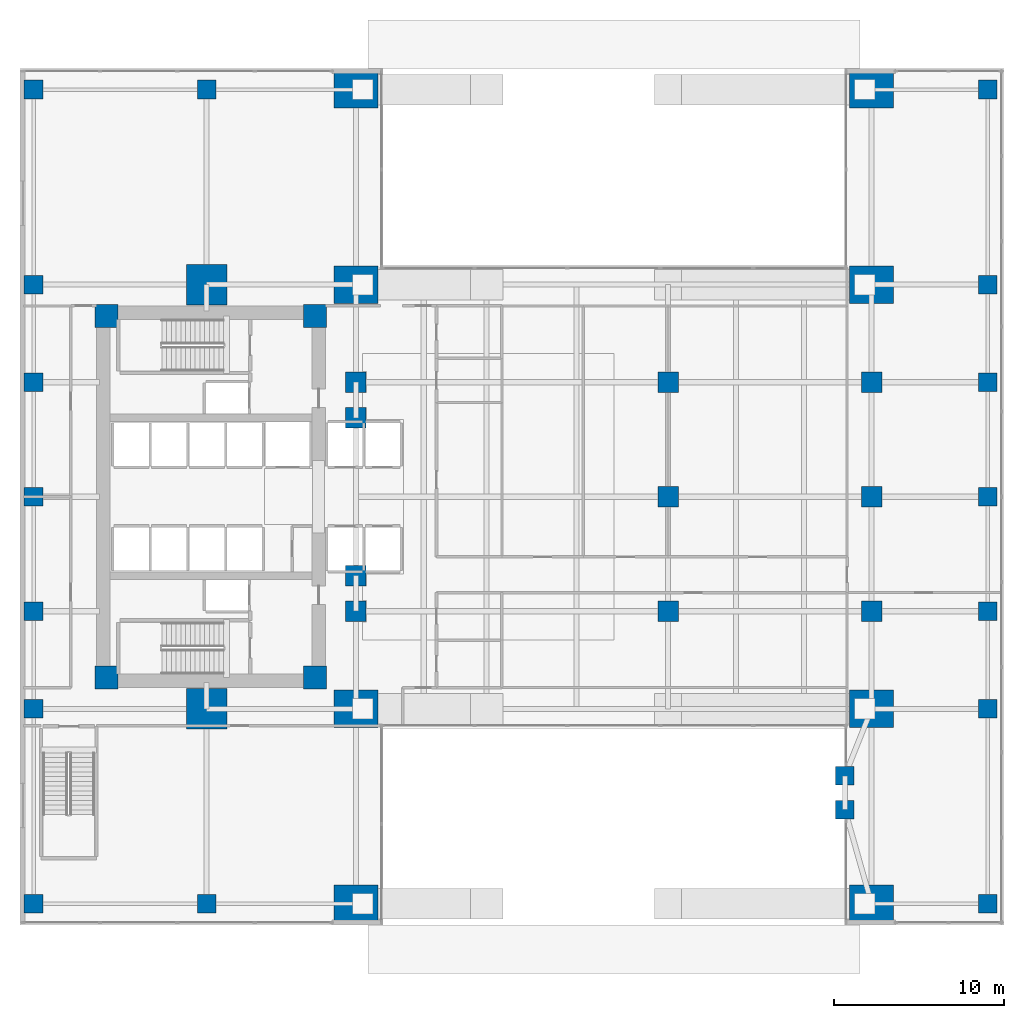
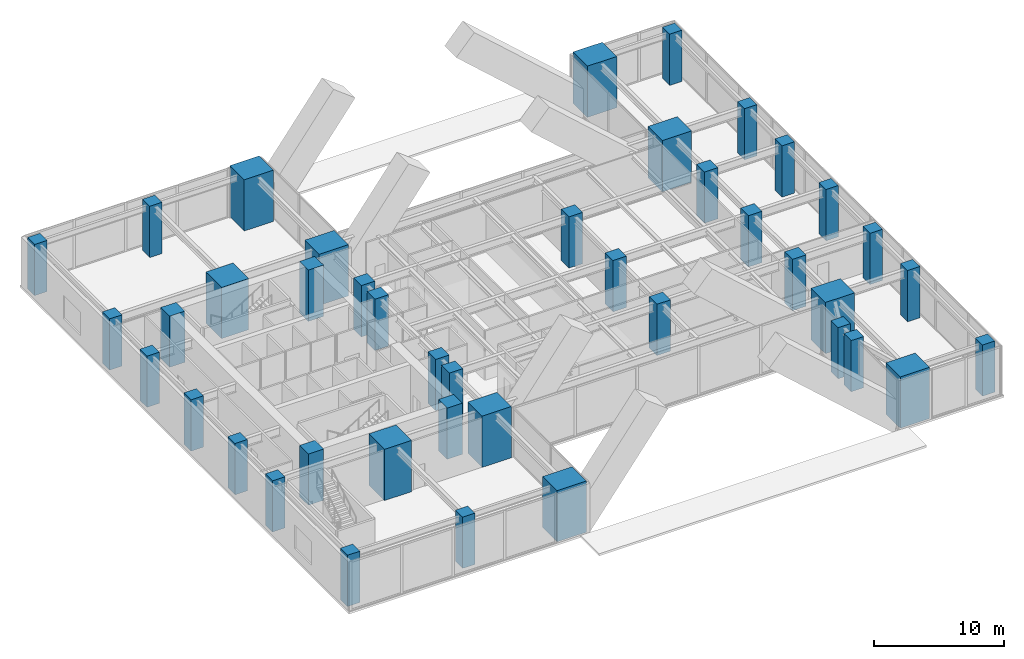
# One storey, part 1 of 13: 42 columns.
"""IFC4 building model written with IfcOpenShell, lengths in metres."""

from ifc_helpers import new_model, si_unit, direction, frame, origin, origin_2d, place, context, subcontext, project, spatial, rectangle, extrude, material, material_profile, profile_set, type_object, element, save


model = new_model("IFC4")

# Units and contexts
model_context = context("Model", 3, precision=1e-05, world=origin(), true_north=direction((0.0, 1.0)))
body_context = subcontext(model_context, "Body", "Model", "MODEL_VIEW")
ifc_project = project(units=[si_unit("LENGTHUNIT", "METRE"), si_unit("AREAUNIT", "SQUARE_METRE"), si_unit("VOLUMEUNIT", "CUBIC_METRE"), si_unit("PLANEANGLEUNIT", "RADIAN"), si_unit("MASSUNIT", "GRAM", prefix="KILO")], contexts=[model_context])

# Site, building, storey
site_placement = place(None, origin())
site = spatial("IfcSite", under=ifc_project, at=site_placement, CompositionType="ELEMENT")
building_placement = place(site_placement, origin())
building = spatial("IfcBuilding", under=site, at=building_placement, Name="Kinhvarn Gate Tower", CompositionType="ELEMENT")
storey_placement = place(building_placement, frame((0.0, 0.0, 6.0)))
storey = spatial("IfcBuildingStorey", under=building, at=storey_placement, Name="L01", CompositionType="ELEMENT", Elevation=6.0)

# Columns
ifc_material_1 = material(Name="Concrete C70/85", Category="concrete")
ifc_material_profile_1 = material_profile(ifc_material_1, rectangle(XDim=2.60009765625, YDim=2.199951171875, at=origin_2d()), Name="RC 2600x2200")
ifc_profile_set_1 = profile_set([ifc_material_profile_1], Name="Concrete C70/85")
column_type_1 = type_object("IfcColumnType", Name="COL-AP-2600", PredefinedType="COLUMN", material=ifc_profile_set_1)
for number, where, z_axis, x_axis, name in (
    (1, (19.800048828125, 1.25, 0.0), (0.0, 0.0, 1.0), (1.0, 0.0, 0.0), "Column APW-1-L01 (AP-01)"),
    (2, (50.199951171875, 1.25, 0.0), (0.0, 0.0, 1.0), (1.0, 0.0, 0.0), "Column APE-1-L01 (AP-01)"),
    (3, (19.800048828125, 12.75, 0.0), (0.0, 0.0, 1.0), (1.0, 0.0, 0.0), "Column APW-2-L01 (AP-01)"),
    (4, (50.199951171875, 12.75, 0.0), (0.0, 0.0, 1.0), (1.0, 0.0, 0.0), "Column APE-2-L01 (AP-01)"),
    (5, (19.800048828125, 37.75, 0.0), (0.0, 0.0, 1.0), (1.0, 0.0, 0.0), "Column APW-3-L01 (AP-01)"),
    (6, (50.199951171875, 37.75, 0.0), (0.0, 0.0, 1.0), (1.0, 0.0, 0.0), "Column APE-3-L01 (AP-01)"),
    (7, (19.800048828125, 49.25, 0.0), (0.0, 0.0, 1.0), (1.0, 0.0, 0.0), "Column APW-4-L01 (AP-01)"),
    (8, (50.199951171875, 49.25, 0.0), (0.0, 0.0, 1.0), (1.0, 0.0, 0.0), "Column APE-4-L01 (AP-01)"),
):
    element("IfcColumn", number, at=place(storey_placement, frame(where, z_axis=z_axis, x_axis=x_axis)), inside=storey, type_object=column_type_1, Name=name, PredefinedType="COLUMN", context=body_context, shape_type="SweptSolid", body=[
        extrude(rectangle(XDim=2.60009765625, YDim=2.199951171875, at=origin_2d()), origin(), (0.0, 0.0, 1.0), 4.800048828125),
    ])
ifc_material_profile_2 = material_profile(ifc_material_1, rectangle(XDim=2.39990234375, YDim=2.39990234375, at=origin_2d()), Name="RC 2400x2400")
ifc_profile_set_2 = profile_set([ifc_material_profile_2], Name="Concrete C70/85")
column_type_2 = type_object("IfcColumnType", Name="COL-MC-2400", PredefinedType="COLUMN", material=ifc_profile_set_2)
for number, where, z_axis, x_axis, name in (
    (9, (11.0, 12.75, 0.0), (0.0, 0.0, 1.0), (1.0, 0.0, 0.0), "Column MC1-L01 (MC-24)"),
    (10, (11.0, 37.75, 0.0), (0.0, 0.0, 1.0), (1.0, 0.0, 0.0), "Column MC4-L01 (MC-24)"),
):
    element("IfcColumn", number, at=place(storey_placement, frame(where, z_axis=z_axis, x_axis=x_axis)), inside=storey, type_object=column_type_2, Name=name, PredefinedType="COLUMN", context=body_context, shape_type="SweptSolid", body=[
        extrude(rectangle(XDim=2.39990234375, YDim=2.39990234375, at=origin_2d()), origin(), (0.0, 0.0, 1.0), 4.800048828125),
    ])
ifc_material_2 = material(Name="Concrete C60/75", Category="concrete")
ifc_material_profile_3 = material_profile(ifc_material_2, rectangle(XDim=1.10009765625, YDim=1.10009765625, at=origin_2d()), Name="RC 1100x1100")
ifc_profile_set_3 = profile_set([ifc_material_profile_3], Name="Concrete C60/75")
column_type_3 = type_object("IfcColumnType", Name="COL-RC-1100", PredefinedType="COLUMN", material=ifc_profile_set_3)
for number, where, z_axis, x_axis, name in (
    (11, (0.800048828125, 1.25, 0.0), (0.0, 0.0, 1.0), (1.0, 0.0, 0.0), "Column PW-1-L01 (C-110)"),
    (12, (57.050048828125, 1.25, 0.0), (0.0, 0.0, 1.0), (1.0, 0.0, 0.0), "Column PE-1-L01 (C-110)"),
    (13, (0.800048828125, 12.75, 0.0), (0.0, 0.0, 1.0), (1.0, 0.0, 0.0), "Column PW-2-L01 (C-110)"),
    (14, (57.050048828125, 12.75, 0.0), (0.0, 0.0, 1.0), (1.0, 0.0, 0.0), "Column PE-2-L01 (C-110)"),
    (15, (0.800048828125, 18.5, 0.0), (0.0, 0.0, 1.0), (1.0, 0.0, 0.0), "Column PW-3-L01 (C-110)"),
    (16, (57.050048828125, 18.5, 0.0), (0.0, 0.0, 1.0), (1.0, 0.0, 0.0), "Column PE-3-L01 (C-110)"),
    (17, (0.800048828125, 25.25, 0.0), (0.0, 0.0, 1.0), (1.0, 0.0, 0.0), "Column PW-4-L01 (C-110)"),
    (18, (57.050048828125, 25.25, 0.0), (0.0, 0.0, 1.0), (1.0, 0.0, 0.0), "Column PE-4-L01 (C-110)"),
    (19, (0.800048828125, 32.0, 0.0), (0.0, 0.0, 1.0), (1.0, 0.0, 0.0), "Column PW-5-L01 (C-110)"),
    (20, (57.050048828125, 32.0, 0.0), (0.0, 0.0, 1.0), (1.0, 0.0, 0.0), "Column PE-5-L01 (C-110)"),
    (21, (0.800048828125, 37.75, 0.0), (0.0, 0.0, 1.0), (1.0, 0.0, 0.0), "Column PW-6-L01 (C-110)"),
    (22, (57.050048828125, 37.75, 0.0), (0.0, 0.0, 1.0), (1.0, 0.0, 0.0), "Column PE-6-L01 (C-110)"),
    (23, (0.800048828125, 49.25, 0.0), (0.0, 0.0, 1.0), (1.0, 0.0, 0.0), "Column PW-7-L01 (C-110)"),
    (24, (57.050048828125, 49.25, 0.0), (0.0, 0.0, 1.0), (1.0, 0.0, 0.0), "Column PE-7-L01 (C-110)"),
    (25, (11.0, 1.25, 0.0), (0.0, 0.0, 1.0), (1.0, 0.0, 0.0), "Column P11-S-L01 (C-110)"),
    (26, (11.0, 49.25, 0.0), (0.0, 0.0, 1.0), (1.0, 0.0, 0.0), "Column P11-N-L01 (C-110)"),
    (27, (48.6201171875, 6.800048828125, 0.0), (0.0, 0.0, 1.0), (1.0, 0.0, 0.0), "Column CS-SE1-L01 (C-110)"),
    (28, (48.6201171875, 8.800048828125, 0.0), (0.0, 0.0, 1.0), (1.0, 0.0, 0.0), "Column CS-SE1B-L01 (C-110)"),
):
    element("IfcColumn", number, at=place(storey_placement, frame(where, z_axis=z_axis, x_axis=x_axis)), inside=storey, type_object=column_type_3, Name=name, PredefinedType="COLUMN", context=body_context, shape_type="SweptSolid", body=[
        extrude(rectangle(XDim=1.10009765625, YDim=1.10009765625, at=origin_2d()), origin(), (0.0, 0.0, 1.0), 4.800048828125),
    ])
ifc_material_profile_4 = material_profile(ifc_material_2, rectangle(XDim=1.199951171875, YDim=1.199951171875, at=origin_2d()), Name="RC 1200x1200")
ifc_profile_set_4 = profile_set([ifc_material_profile_4], Name="Concrete C60/75")
column_type_4 = type_object("IfcColumnType", Name="COL-RC-1200", PredefinedType="COLUMN", material=ifc_profile_set_4)
for number, where, z_axis, x_axis, name in (
    (29, (38.199951171875, 18.5, 0.0), (0.0, 0.0, 1.0), (1.0, 0.0, 0.0), "Column SP38-E1-L01 (C-120)"),
    (30, (38.199951171875, 25.25, 0.0), (0.0, 0.0, 1.0), (1.0, 0.0, 0.0), "Column SP38-E2-L01 (C-120)"),
    (31, (38.199951171875, 32.0, 0.0), (0.0, 0.0, 1.0), (1.0, 0.0, 0.0), "Column SP38-E3-L01 (C-120)"),
    (32, (19.800048828125, 18.5, 0.0), (0.0, 0.0, 1.0), (1.0, 0.0, 0.0), "Column APW-M1-L01 (C-120)"),
    (33, (19.800048828125, 20.60009765625, 0.0), (0.0, 0.0, 1.0), (1.0, 0.0, 0.0), "Column APW-M2-L01 (C-120)"),
    (34, (19.800048828125, 29.89990234375, 0.0), (0.0, 0.0, 1.0), (1.0, 0.0, 0.0), "Column APW-M3-L01 (C-120)"),
    (35, (19.800048828125, 32.0, 0.0), (0.0, 0.0, 1.0), (1.0, 0.0, 0.0), "Column APW-M4-L01 (C-120)"),
    (36, (50.199951171875, 18.5, 0.0), (0.0, 0.0, 1.0), (1.0, 0.0, 0.0), "Column APE-M1-L01 (C-120)"),
    (37, (50.199951171875, 25.25, 0.0), (0.0, 0.0, 1.0), (1.0, 0.0, 0.0), "Column APE-M2-L01 (C-120)"),
    (38, (50.199951171875, 32.0, 0.0), (0.0, 0.0, 1.0), (1.0, 0.0, 0.0), "Column APE-M3-L01 (C-120)"),
):
    element("IfcColumn", number, at=place(storey_placement, frame(where, z_axis=z_axis, x_axis=x_axis)), inside=storey, type_object=column_type_4, Name=name, PredefinedType="COLUMN", context=body_context, shape_type="SweptSolid", body=[
        extrude(rectangle(XDim=1.199951171875, YDim=1.199951171875, at=origin_2d()), origin(), (0.0, 0.0, 1.0), 4.800048828125),
    ])
ifc_material_profile_5 = material_profile(ifc_material_1, rectangle(XDim=1.35009765625, YDim=1.35009765625, at=origin_2d()), Name="RC 1350x1350")
ifc_profile_set_5 = profile_set([ifc_material_profile_5], Name="Concrete C70/85")
column_type_5 = type_object("IfcColumnType", Name="PIL-RC-1350", PredefinedType="PILASTER", material=ifc_profile_set_5)
for number, where, z_axis, x_axis, name in (
    (39, (5.10009765625, 14.60009765625, 0.0), (0.0, 0.0, 1.0), (1.0, 0.0, 0.0), "Column CC-SW-L01 (CP-135)"),
    (40, (5.10009765625, 35.89990234375, 0.0), (0.0, 0.0, 1.0), (1.0, 0.0, 0.0), "Column CC-NW-L01 (CP-135)"),
    (41, (17.39990234375, 14.60009765625, 0.0), (0.0, 0.0, 1.0), (1.0, 0.0, 0.0), "Column CC-SE-L01 (CP-135)"),
    (42, (17.39990234375, 35.89990234375, 0.0), (0.0, 0.0, 1.0), (1.0, 0.0, 0.0), "Column CC-NE-L01 (CP-135)"),
):
    element("IfcColumn", number, at=place(storey_placement, frame(where, z_axis=z_axis, x_axis=x_axis)), inside=storey, type_object=column_type_5, Name=name, PredefinedType="PILASTER", context=body_context, shape_type="SweptSolid", body=[
        extrude(rectangle(XDim=1.35009765625, YDim=1.35009765625, at=origin_2d()), origin(), (0.0, 0.0, 1.0), 4.800048828125),
    ])

save(model, "model.ifc")
